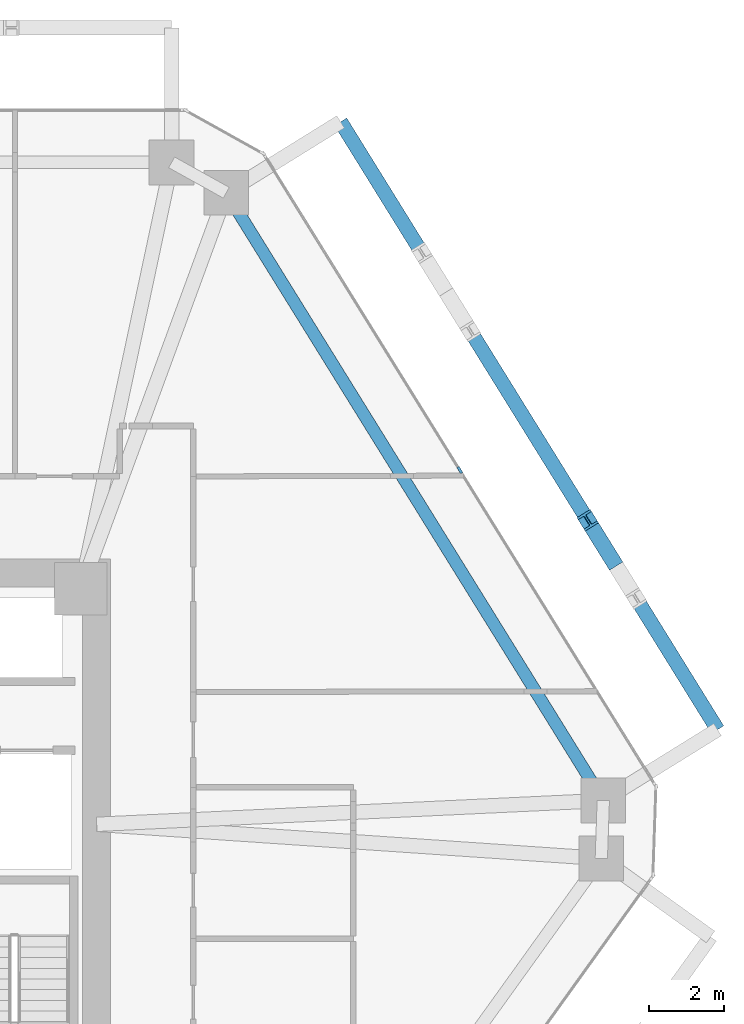
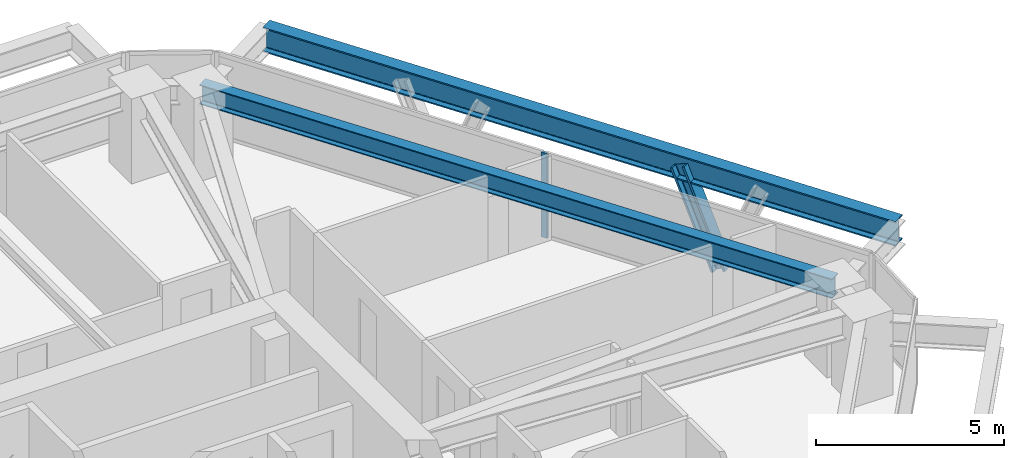
# One storey, part 6 of 14: 2 beams, 2 members, 1 element without a shape of its own.
"""IFC4 building model written with IfcOpenShell, lengths in metres."""

from ifc_helpers import new_model, si_unit, direction, frame, origin, origin_2d, place, context, subcontext, project, spatial, rectangle, i_section, extrude, source, transform, mapped, material, layer, layer_set, material_profile, profile_set, type_object, type_shapes, element, aggregate, save


model = new_model("IFC4")

# Units and contexts
model_context = context("Model", 3, precision=1e-05, world=origin(), true_north=direction((0.0, 1.0)))
body_context = subcontext(model_context, "Body", "Model", "MODEL_VIEW")
ifc_project = project(units=[si_unit("LENGTHUNIT", "METRE"), si_unit("AREAUNIT", "SQUARE_METRE"), si_unit("VOLUMEUNIT", "CUBIC_METRE"), si_unit("PLANEANGLEUNIT", "RADIAN"), si_unit("MASSUNIT", "GRAM", prefix="KILO")], contexts=[model_context])

# Site, building, storey
site_placement = place(None, origin())
site = spatial("IfcSite", under=ifc_project, at=site_placement, CompositionType="ELEMENT")
building_placement = place(site_placement, origin())
building = spatial("IfcBuilding", under=site, at=building_placement, Name="Durnholm Broadcast Tower", CompositionType="ELEMENT")
storey_placement = place(building_placement, frame((0.0, 0.0, 140.10009765625)))
storey = spatial("IfcBuildingStorey", under=building, at=storey_placement, Name="L38", CompositionType="ELEMENT", Elevation=140.10009765625)

# Beams
ifc_material_1 = material(Name="Steel ASTM A992 Grade 50", Category="steel")
ifc_material_profile_1 = material_profile(ifc_material_1, i_section(OverallWidth=0.3291015625, OverallDepth=0.635009765625, WebThickness=0.017822265625, FlangeThickness=0.031005859375, FilletRadius=0.02783203125, at=origin_2d()), Name="W24X162")
ifc_profile_set_1 = profile_set([ifc_material_profile_1], Name="Steel ASTM A992 Grade 50")
beam_type_1 = type_object("IfcBeamType", Name="STL-SP-W24X162", PredefinedType="SPANDREL", material=ifc_profile_set_1)
shared_shape_1 = source(origin(), body_context, "Body", "SweptSolid", [
    extrude(i_section(OverallWidth=0.3291015625, OverallDepth=0.635009765625, WebThickness=0.017822265625, FlangeThickness=0.031005859375, FilletRadius=0.02783203125, at=origin_2d()), origin(), (0.0, 0.0, 1.0), 19.139404296875),
])
type_shapes(beam_type_1, [shared_shape_1])
beam_1_placement = place(storey_placement, frame((13.692138671875, 18.4013671875, 2.427490234375), z_axis=(0.527111038734, -0.84979641847, 0.0), x_axis=(0.84979641847, 0.527111038734, 0.0)))
element("IfcBeam", 1, at=beam_1_placement, inside=storey, type_object=beam_type_1, Name="L38 perimeter spandrel girder 07", PredefinedType="SPANDREL", context=body_context, shape_type="MappedRepresentation", body=[
    mapped(shared_shape_1, transform((0.0, 0.0, 0.0), x_axis=(1.0, 0.0, 0.0), y_axis=(0.0, 1.0, 0.0), z_axis=(0.0, 0.0, 1.0), scale=1.0)),
])
ifc_material_profile_2 = material_profile(ifc_material_1, i_section(OverallWidth=0.385009765625, OverallDepth=0.802978515625, WebThickness=0.023681640625, FlangeThickness=0.0419921875, FilletRadius=0.032958984375, at=origin_2d()), Name="W30X261")
ifc_profile_set_2 = profile_set([ifc_material_profile_2], Name="Steel ASTM A992 Grade 50")
beam_type_2 = type_object("IfcBeamType", Name="BM-EXO-TIE", PredefinedType="USERDEFINED", material=ifc_profile_set_2)
shared_shape_2 = source(origin(), body_context, "Body", "SweptSolid", [
    extrude(i_section(OverallWidth=0.385009765625, OverallDepth=0.802978515625, WebThickness=0.023681640625, FlangeThickness=0.0419921875, FilletRadius=0.032958984375, at=origin_2d()), origin(), (0.0, 0.0, 1.0), 19.139404296875),
])
type_shapes(beam_type_2, [shared_shape_2])
beam_2_placement = place(storey_placement, frame((26.840087890625, 4.0341796875, 2.008544921875), z_axis=(-0.527111038734, 0.84979641847, 0.0), x_axis=(-0.84979641847, -0.527111038734, 0.0)))
element("IfcBeam", 2, at=beam_2_placement, inside=storey, type_object=beam_type_2, Name="L38 exoskeleton collector spandrel F3", PredefinedType="SPANDREL", context=body_context, shape_type="MappedRepresentation", body=[
    mapped(shared_shape_2, transform((0.0, 0.0, 0.0), x_axis=(1.0, 0.0, 0.0), y_axis=(0.0, 1.0, 0.0), z_axis=(0.0, 0.0, 1.0), scale=1.0)),
])

# Member
ifc_material_2 = material(Name="Steel ASTM A913 Grade 65", Category="steel")
ifc_material_profile_3 = material_profile(ifc_material_2, i_section(OverallWidth=0.41845703125, OverallDepth=0.455078125, WebThickness=0.0419921875, FlangeThickness=0.067626953125, FilletRadius=0.030517578125, at=origin_2d()), Name="W14X370")
ifc_profile_set_3 = profile_set([ifc_material_profile_3], Name="Steel ASTM A913 Grade 65")
member_type_1 = type_object("IfcMemberType", Name="STL-DG-W14X370", PredefinedType="BRACE", material=ifc_profile_set_3)
shared_shape_3 = source(origin(), body_context, "Body", "SweptSolid", [
    extrude(i_section(OverallWidth=0.41845703125, OverallDepth=0.455078125, WebThickness=0.0419921875, FlangeThickness=0.067626953125, FilletRadius=0.030517578125, at=origin_2d()), origin(), (0.0, 0.0, 1.0), 3.24365234375),
])
type_shapes(member_type_1, [shared_shape_3])
member_1_placement = place(storey_placement, frame((24.01513671875, 8.58837890625, -0.991455078125), z_axis=(-0.200504729124, 0.323185925998, 0.924850642447), x_axis=(-0.849750220063, -0.527185511469, 0.0)))
element("IfcMember", 3, at=member_1_placement, inside=storey, type_object=member_type_1, Name="L38 stand-off diagrid brace F3.D1.2", PredefinedType="BRACE", context=body_context, shape_type="MappedRepresentation", body=[
    mapped(shared_shape_3, transform((0.0, 0.0, 0.0), x_axis=(1.0, 0.0, 0.0), y_axis=(0.0, 1.0, 0.0), z_axis=(0.0, 0.0, 1.0), scale=1.0)),
])

# Curtain wall, member
ifc_material_3 = material(Name="Aluminium and Solar Control IGU", Category="aluminium")
ifc_layer = layer(ifc_material_3, 0.18994140625)
ifc_layer_set = layer_set([ifc_layer], Name="Aluminium and Solar Control IGU")
curtain_wall_type = type_object("IfcCurtainWallType", Name="CW-SYS-3", PredefinedType="NOTDEFINED", material=ifc_layer_set)
curtain_wall_placement = place(storey_placement, origin())
curtain_wall = element("IfcCurtainWall", 4, at=curtain_wall_placement, inside=storey, type_object=curtain_wall_type, Name="L38 curtain wall CW-Z12-VIS CW-L38-F06", PredefinedType="NOTDEFINED")
ifc_material_4 = material(Name="Aluminium 6063-T6", Category="aluminium")
ifc_material_profile_4 = material_profile(ifc_material_4, rectangle(XDim=0.070068359375, YDim=0.18994140625, at=origin_2d()), Name="CWM70X190")
ifc_profile_set_4 = profile_set([ifc_material_profile_4], Name="Aluminium 6063-T6")
member_type_2 = type_object("IfcMemberType", Name="CW-SYS-3-MUL", PredefinedType="MULLION", material=ifc_profile_set_4)
shared_shape_4 = source(origin(), body_context, "Body", "SweptSolid", [
    extrude(rectangle(XDim=0.070068359375, YDim=0.18994140625, at=origin_2d()), origin(), (0.0, 0.0, 1.0), 2.760009765625),
])
type_shapes(member_type_2, [shared_shape_4])
member_2_placement = place(storey_placement, frame((19.9423828125, 10.980712890625, 0.0), z_axis=(0.0, 0.0, 1.0), x_axis=(0.849799925229, 0.527105385176, 0.0)))
member_2 = element("IfcMember", 5, at=member_2_placement, type_object=member_type_2, Name="CW-Z12-VIS mullion 2", PredefinedType="MULLION", context=body_context, shape_type="MappedRepresentation", body=[
    mapped(shared_shape_4, transform((0.0, 0.0, 0.0), x_axis=(1.0, 0.0, 0.0), y_axis=(0.0, 1.0, 0.0), z_axis=(0.0, 0.0, 1.0), scale=1.0)),
])
aggregate(curtain_wall, [member_2])

save(model, "model.ifc")
